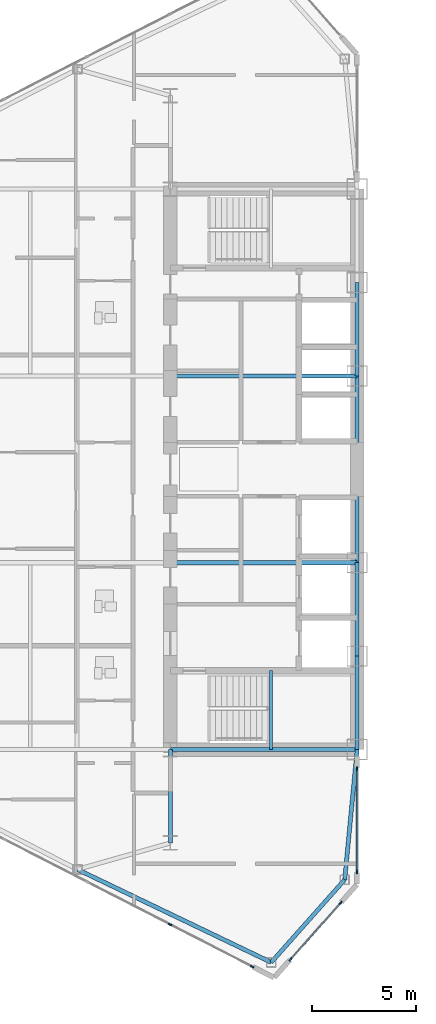
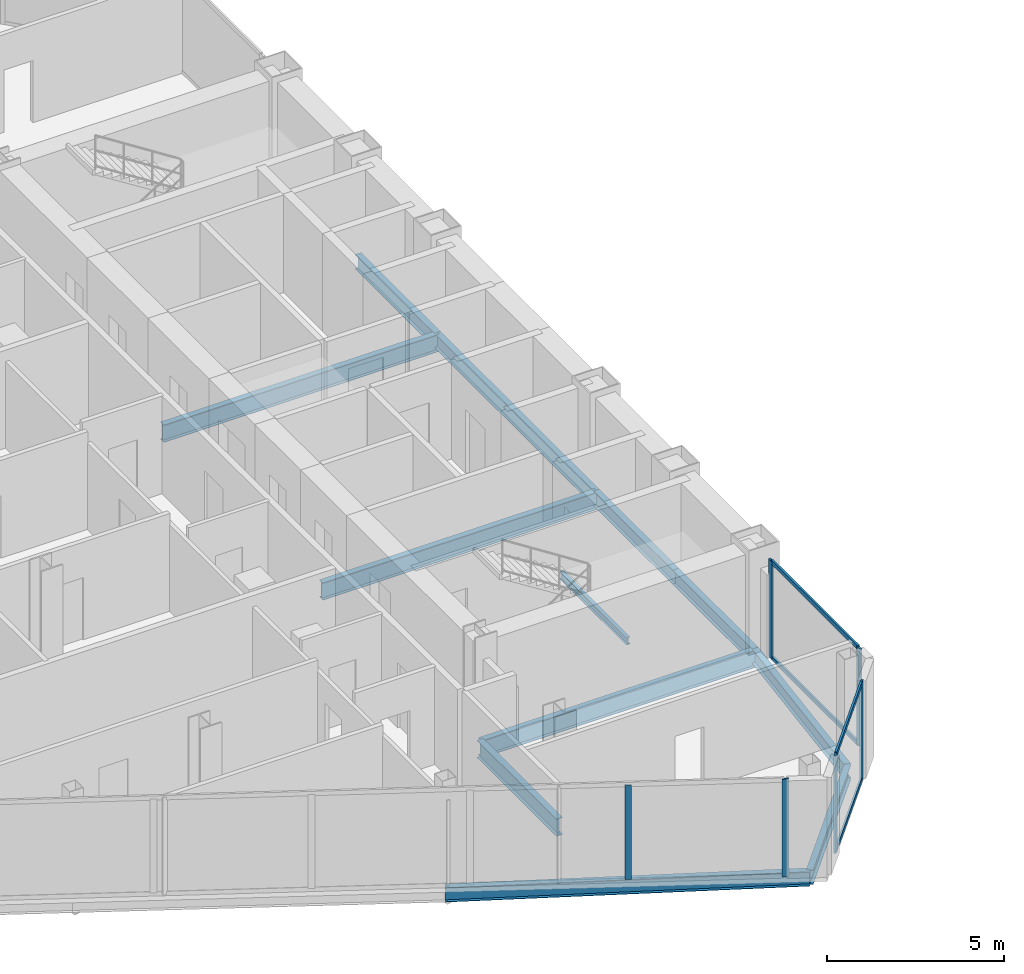
# One storey, part 5 of 24: 12 beams, 10 members, 3 elements without a shape of their own.
"""IFC4 building model written with IfcOpenShell, lengths in metres."""

from ifc_helpers import new_model, si_unit, direction, frame, origin, origin_2d, place, context, subcontext, project, spatial, rectangle, i_section, extrude, source, transform, mapped, material, layer, layer_set, material_profile, profile_set, type_object, type_shapes, element, aggregate, save


model = new_model("IFC4")

# Units and contexts
model_context = context("Model", 3, precision=1e-05, world=origin(), true_north=direction((0.0, 1.0)))
body_context = subcontext(model_context, "Body", "Model", "MODEL_VIEW")
ifc_project = project(units=[si_unit("LENGTHUNIT", "METRE"), si_unit("AREAUNIT", "SQUARE_METRE"), si_unit("VOLUMEUNIT", "CUBIC_METRE"), si_unit("PLANEANGLEUNIT", "RADIAN"), si_unit("MASSUNIT", "GRAM", prefix="KILO")], contexts=[model_context])

# Site, building, storey
site_placement = place(None, origin())
site = spatial("IfcSite", under=ifc_project, at=site_placement, CompositionType="ELEMENT")
building_placement = place(site_placement, origin())
building = spatial("IfcBuilding", under=site, at=building_placement, Name="Seokmaru Belvedere", CompositionType="ELEMENT")
storey_placement = place(building_placement, frame((0.0, 0.0, 114.0)))
storey = spatial("IfcBuildingStorey", under=building, at=storey_placement, Name="L30", CompositionType="ELEMENT", Elevation=114.0)

# Beams
ifc_material_1 = material(Name="Steel SM355 (355 MPa)", Category="steel")
ifc_material_profile_1 = material_profile(ifc_material_1, i_section(OverallWidth=0.199951171875, OverallDepth=0.5, WebThickness=0.010009765625, FlangeThickness=0.01611328125, at=origin_2d()), Name="H-500x200x10x16")
ifc_profile_set_1 = profile_set([ifc_material_profile_1], Name="Steel SM355 (355 MPa)")
beam_type_1 = type_object("IfcBeamType", Name="Perimeter Spandrel Beam H-500", PredefinedType="SPANDREL", material=ifc_profile_set_1)
shared_shape_1 = source(origin(), body_context, "Body", "SweptSolid", [
    extrude(i_section(OverallWidth=0.199951171875, OverallDepth=0.5, WebThickness=0.010009765625, FlangeThickness=0.01611328125, at=origin_2d()), origin(), (0.0, 0.0, 1.0), 4.5),
])
for number, where, z_axis, x_axis, name in (
    (1, (-27.5, -13.5, -0.469970703125), (0.0, 1.0, 0.0), (-1.0, 0.0, 0.0), "L30 W Portal Spine Spandrel 1"),
    (2, (-27.5, -9.0, -0.469970703125), (0.0, 1.0, 0.0), (-1.0, 0.0, 0.0), "L30 W Portal Spine Spandrel 2"),
    (3, (-27.5, 4.5, -0.469970703125), (0.0, 1.0, 0.0), (-1.0, 0.0, 0.0), "L30 W Portal Spine Spandrel 4"),
):
    element("IfcBeam", number, at=place(storey_placement, frame(where, z_axis=z_axis, x_axis=x_axis)), inside=storey, type_object=beam_type_1, Name=name, PredefinedType="SPANDREL", context=body_context, shape_type="MappedRepresentation", body=[
        mapped(shared_shape_1, transform((0.0, 0.0, 0.0), scale=1.0)),
    ])
shared_shape_2 = source(origin(), body_context, "Body", "SweptSolid", [
    extrude(i_section(OverallWidth=0.199951171875, OverallDepth=0.5, WebThickness=0.010009765625, FlangeThickness=0.01611328125, at=origin_2d()), origin(), (0.0, 0.0, 1.0), 9.0),
])
beam_1_placement = place(storey_placement, frame((-27.5, -4.5, -0.469970703125), z_axis=(0.0, 1.0, 0.0), x_axis=(-1.0, 0.0, 0.0)))
element("IfcBeam", 4, at=beam_1_placement, inside=storey, type_object=beam_type_1, Name="L30 W Portal Spine Spandrel 3", PredefinedType="SPANDREL", context=body_context, shape_type="MappedRepresentation", body=[
    mapped(shared_shape_2, transform((0.0, 0.0, 0.0), scale=1.0)),
])
ifc_material_profile_2 = material_profile(ifc_material_1, i_section(OverallWidth=0.199951171875, OverallDepth=0.60009765625, WebThickness=0.010986328125, FlangeThickness=0.01708984375, at=origin_2d()), Name="H-600x200x11x17")
ifc_profile_set_2 = profile_set([ifc_material_profile_2], Name="Steel SM355 (355 MPa)")
beam_type_2 = type_object("IfcBeamType", Name="Primary Floor Girder H-600", PredefinedType="BEAM", material=ifc_profile_set_2)
shared_shape_3 = source(origin(), body_context, "Body", "SweptSolid", [
    extrude(i_section(OverallWidth=0.199951171875, OverallDepth=0.60009765625, WebThickness=0.010986328125, FlangeThickness=0.01708984375, at=origin_2d()), origin(), (0.0, 0.0, 1.0), 9.0),
])
for number, where, z_axis, x_axis, name in (
    (5, (-36.5, -13.5, -0.52001953125), (1.0, 0.0, 0.0), (0.0, 1.0, 0.0), "L30 W Core Tie Girder 1"),
    (6, (-36.5, -4.5, -0.52001953125), (1.0, 0.0, 0.0), (0.0, 1.0, 0.0), "L30 W Core Tie Girder 2"),
    (7, (-36.5, 4.5, -0.52001953125), (1.0, 0.0, 0.0), (0.0, 1.0, 0.0), "L30 W Core Tie Girder 3"),
):
    element("IfcBeam", number, at=place(storey_placement, frame(where, z_axis=z_axis, x_axis=x_axis)), inside=storey, type_object=beam_type_2, Name=name, PredefinedType="BEAM", context=body_context, shape_type="MappedRepresentation", body=[
        mapped(shared_shape_3, transform((0.0, 0.0, 0.0), scale=1.0)),
    ])
shared_shape_4 = source(origin(), body_context, "Body", "SweptSolid", [
    extrude(i_section(OverallWidth=0.199951171875, OverallDepth=0.60009765625, WebThickness=0.010986328125, FlangeThickness=0.01708984375, at=origin_2d()), origin(), (0.0, 0.0, 1.0), 4.5),
])
type_shapes(beam_type_2, [shared_shape_3, shared_shape_4])
beam_2_placement = place(storey_placement, frame((-36.5, -18.0, -0.52001953125), z_axis=(0.0, 1.0, 0.0), x_axis=(-1.0, 0.0, 0.0)))
element("IfcBeam", 8, at=beam_2_placement, inside=storey, type_object=beam_type_2, Name="L30 W Core Shoulder Girder S", PredefinedType="BEAM", context=body_context, shape_type="MappedRepresentation", body=[
    mapped(shared_shape_4, transform((0.0, 0.0, 0.0), scale=1.0)),
])
shared_shape_5 = source(origin(), body_context, "Body", "SweptSolid", [
    extrude(i_section(OverallWidth=0.199951171875, OverallDepth=0.5, WebThickness=0.010009765625, FlangeThickness=0.01611328125, at=origin_2d()), origin(), (0.0, 0.0, 1.0), 10.353759765625),
])
beam_3_placement = place(storey_placement, frame((-31.6396484375, -23.75390625, -0.469970703125), z_axis=(-0.901713202822, 0.432334708134, 0.0), x_axis=(-0.432334708134, -0.901713202822, 0.0)))
element("IfcBeam", 9, at=beam_3_placement, inside=storey, type_object=beam_type_1, Name="L30 W Faceted Flank Spandrel S-1", PredefinedType="SPANDREL", context=body_context, shape_type="MappedRepresentation", body=[
    mapped(shared_shape_5, transform((0.0, 0.0, 0.0), scale=1.0)),
])
shared_shape_6 = source(origin(), body_context, "Body", "SweptSolid", [
    extrude(i_section(OverallWidth=0.199951171875, OverallDepth=0.5, WebThickness=0.010009765625, FlangeThickness=0.01611328125, at=origin_2d()), origin(), (0.0, 0.0, 1.0), 5.32763671875),
])
beam_4_placement = place(storey_placement, frame((-31.6396484375, -23.75390625, -0.469970703125), z_axis=(0.66436952742, 0.74740426212, 0.0), x_axis=(-0.74740426212, 0.66436952742, 0.0)))
element("IfcBeam", 10, at=beam_4_placement, inside=storey, type_object=beam_type_1, Name="L30 W Shoulder Chamfer Spandrel S", PredefinedType="SPANDREL", context=body_context, shape_type="MappedRepresentation", body=[
    mapped(shared_shape_6, transform((0.0, 0.0, 0.0), scale=1.0)),
])
shared_shape_7 = source(origin(), body_context, "Body", "SweptSolid", [
    extrude(i_section(OverallWidth=0.199951171875, OverallDepth=0.5, WebThickness=0.010009765625, FlangeThickness=0.01611328125, at=origin_2d()), origin(), (0.0, 0.0, 1.0), 6.300537109375),
])
type_shapes(beam_type_1, [shared_shape_1, shared_shape_2, shared_shape_5, shared_shape_6, shared_shape_7])
beam_5_placement = place(storey_placement, frame((-28.10009765625, -19.77197265625, -0.469970703125), z_axis=(0.095244287992, 0.995453929424, 0.0), x_axis=(-0.995453929424, 0.095244287992, 0.0)))
element("IfcBeam", 11, at=beam_5_placement, inside=storey, type_object=beam_type_1, Name="L30 W Shoulder Spine Spandrel S", PredefinedType="SPANDREL", context=body_context, shape_type="MappedRepresentation", body=[
    mapped(shared_shape_7, transform((0.0, 0.0, 0.0), scale=1.0)),
])

# Curtain wall, members
ifc_material_2 = material(Name="Bronze Triple Insulating Glass", Category="glass")
ifc_layer = layer(ifc_material_2, 0.195068359375)
ifc_layer_set = layer_set([ifc_layer], Name="Bronze Triple Insulating Glass")
curtain_wall_type = type_object("IfcCurtainWallType", Name="Sky-Lobby and Mid-Rise Curtain Wall System CW-4", PredefinedType="NOTDEFINED", material=ifc_layer_set)
curtain_wall_1_placement = place(storey_placement, origin())
curtain_wall_1 = element("IfcCurtainWall", 12, at=curtain_wall_1_placement, inside=storey, type_object=curtain_wall_type, Name="L30 Curtain Wall WSP_1", PredefinedType="NOTDEFINED")
ifc_material_3 = material(Name="Anodised Bronze Aluminium", Category="aluminium")
ifc_material_profile_3 = material_profile(ifc_material_3, rectangle(XDim=0.070068359375, YDim=0.195068359375, at=origin_2d()), Name="CW-M-70x195")
ifc_profile_set_3 = profile_set([ifc_material_profile_3], Name="Anodised Bronze Aluminium")
member_type_1 = type_object("IfcMemberType", Name="Bronze Unitised Mullion 70x195", PredefinedType="MULLION", material=ifc_profile_set_3)
shared_shape_8 = source(origin(), body_context, "Body", "SweptSolid", [
    extrude(rectangle(XDim=0.070068359375, YDim=0.195068359375, at=origin_2d()), origin(), (0.0, 0.0, 1.0), 3.3798828125),
])
member_1_placement = place(storey_placement, frame((-27.5, -19.39501953125, 0.0), z_axis=(0.0, 0.0, 1.0), x_axis=(-1.0, 0.0, 0.0)))
member_1 = element("IfcMember", 13, at=member_1_placement, type_object=member_type_1, Name="CW:L30:WSP_1 Mullion 1", PredefinedType="MULLION", context=body_context, shape_type="MappedRepresentation", body=[
    mapped(shared_shape_8, transform((0.0, 0.0, 0.0), scale=1.0)),
])
member_2_placement = place(storey_placement, frame((-27.5, -14.4150390625, 0.0), z_axis=(0.0, 0.0, 1.0), x_axis=(-1.0, 0.0, 0.0)))
member_2 = element("IfcMember", 14, at=member_2_placement, type_object=member_type_1, Name="CW:L30:WSP_1 Mullion 2", PredefinedType="MULLION", context=body_context, shape_type="MappedRepresentation", body=[
    mapped(shared_shape_8, transform((0.0, 0.0, 0.0), scale=1.0)),
])

# Curtain wall, member
curtain_wall_2_placement = place(storey_placement, origin())
curtain_wall_2 = element("IfcCurtainWall", 15, at=curtain_wall_2_placement, inside=storey, type_object=curtain_wall_type, Name="L30 Curtain Wall WF5", PredefinedType="NOTDEFINED")
member_3_placement = place(storey_placement, frame((-32.55419921875, -23.958984375, 0.0), z_axis=(0.0, 0.0, 1.0), x_axis=(0.456554528263, 0.889695432562, 0.0)))
member_3 = element("IfcMember", 16, at=member_3_placement, type_object=member_type_1, Name="CW:L30:WF5 Mullion 10", PredefinedType="MULLION", context=body_context, shape_type="MappedRepresentation", body=[
    mapped(shared_shape_8, transform((0.0, 0.0, 0.0), scale=1.0)),
])

# Curtain wall, members
curtain_wall_3_placement = place(storey_placement, origin())
curtain_wall_3 = element("IfcCurtainWall", 17, at=curtain_wall_3_placement, inside=storey, type_object=curtain_wall_type, Name="L30 Curtain Wall WF6", PredefinedType="NOTDEFINED")
member_4_placement = place(storey_placement, frame((-30.712646484375, -23.6142578125, 0.0), z_axis=(0.0, 0.0, 1.0), x_axis=(-0.747409774804, 0.664363325694, 0.0)))
member_4 = element("IfcMember", 18, at=member_4_placement, type_object=member_type_1, Name="CW:L30:WF6 Mullion 1", PredefinedType="MULLION", context=body_context, shape_type="MappedRepresentation", body=[
    mapped(shared_shape_8, transform((0.0, 0.0, 0.0), scale=1.0)),
])
member_5_placement = place(storey_placement, frame((-28.287353515625, -20.8857421875, 0.0), z_axis=(0.0, 0.0, 1.0), x_axis=(-0.747409774804, 0.664363325694, 0.0)))
member_5 = element("IfcMember", 19, at=member_5_placement, type_object=member_type_1, Name="CW:L30:WF6 Mullion 2", PredefinedType="MULLION", context=body_context, shape_type="MappedRepresentation", body=[
    mapped(shared_shape_8, transform((0.0, 0.0, 0.0), scale=1.0)),
])

# Member
ifc_material_profile_4 = material_profile(ifc_material_3, rectangle(XDim=0.06494140625, YDim=0.14990234375, at=origin_2d()), Name="CW-T-65x150")
ifc_profile_set_4 = profile_set([ifc_material_profile_4], Name="Anodised Bronze Aluminium")
member_type_2 = type_object("IfcMemberType", Name="Bronze Unitised Transom 65x150", PredefinedType="USERDEFINED", material=ifc_profile_set_4)
shared_shape_9 = source(origin(), body_context, "Body", "SweptSolid", [
    extrude(rectangle(XDim=0.06494140625, YDim=0.14990234375, at=origin_2d()), origin(), (0.0, 0.0, 1.0), 4.91015625),
])
member_6_placement = place(storey_placement, frame((-27.5, -19.360107421875, 0.032470703125), z_axis=(0.0, 1.0, 0.0), x_axis=(-1.0, 0.0, 0.0)))
member_6 = element("IfcMember", 20, at=member_6_placement, type_object=member_type_2, Name="CW:L30:WSP_1 Continuous Transom 1", ObjectType="TRANSOM", PredefinedType="USERDEFINED", context=body_context, shape_type="MappedRepresentation", body=[
    mapped(shared_shape_9, transform((0.0, 0.0, 0.0), scale=1.0)),
])

member_7_placement = place(storey_placement, frame((-27.5, -19.360107421875, 3.347412109375), z_axis=(0.0, 1.0, 0.0), x_axis=(-1.0, 0.0, 0.0)))
member_7 = element("IfcMember", 21, at=member_7_placement, type_object=member_type_2, Name="CW:L30:WSP_1 Continuous Transom 2", ObjectType="TRANSOM", PredefinedType="USERDEFINED", context=body_context, shape_type="MappedRepresentation", body=[
    mapped(shared_shape_9, transform((0.0, 0.0, 0.0), scale=1.0)),
])

aggregate(curtain_wall_1, [member_1, member_2, member_6, member_7])

shared_shape_10 = source(origin(), body_context, "Body", "SweptSolid", [
    extrude(rectangle(XDim=0.06494140625, YDim=0.14990234375, at=origin_2d()), origin(), (0.0, 0.0, 1.0), 3.580810546875),
])
type_shapes(member_type_2, [shared_shape_9, shared_shape_10])
member_8_placement = place(storey_placement, frame((-30.689453125, -23.588134765625, 0.032470703125), z_axis=(0.66436383883, 0.747409318684, 0.0), x_axis=(-0.747409318684, 0.66436383883, 0.0)))
member_8 = element("IfcMember", 22, at=member_8_placement, type_object=member_type_2, Name="CW:L30:WF6 Continuous Transom 1", ObjectType="TRANSOM", PredefinedType="USERDEFINED", context=body_context, shape_type="MappedRepresentation", body=[
    mapped(shared_shape_10, transform((0.0, 0.0, 0.0), scale=1.0)),
])

member_9_placement = place(storey_placement, frame((-30.689453125, -23.588134765625, 3.347412109375), z_axis=(0.66436383883, 0.747409318684, 0.0), x_axis=(-0.747409318684, 0.66436383883, 0.0)))
member_9 = element("IfcMember", 23, at=member_9_placement, type_object=member_type_2, Name="CW:L30:WF6 Continuous Transom 2", ObjectType="TRANSOM", PredefinedType="USERDEFINED", context=body_context, shape_type="MappedRepresentation", body=[
    mapped(shared_shape_10, transform((0.0, 0.0, 0.0), scale=1.0)),
])

aggregate(curtain_wall_3, [member_4, member_5, member_8, member_9])

shared_shape_11 = source(origin(), body_context, "Body", "SweptSolid", [
    extrude(rectangle(XDim=0.070068359375, YDim=0.195068359375, at=origin_2d()), origin(), (0.0, 0.0, 1.0), 3.25),
])
type_shapes(member_type_1, [shared_shape_8, shared_shape_11])
member_10_placement = place(storey_placement, frame((-36.51806640625, -21.925048828125, 0.06494140625), z_axis=(0.0, 0.0, 1.0), x_axis=(0.456554528263, 0.889695432562, 0.0)))
member_10 = element("IfcMember", 24, at=member_10_placement, type_object=member_type_1, Name="CW:L30:WF5 Mullion 9", PredefinedType="MULLION", context=body_context, shape_type="MappedRepresentation", body=[
    mapped(shared_shape_11, transform((0.0, 0.0, 0.0), scale=1.0)),
])

aggregate(curtain_wall_2, [member_10, member_3])

# Beam
ifc_material_profile_5 = material_profile(ifc_material_1, i_section(OverallWidth=0.125, OverallDepth=0.25, WebThickness=0.006103515625, FlangeThickness=0.009033203125, at=origin_2d()), Name="H-250x125x6x9")
ifc_profile_set_5 = profile_set([ifc_material_profile_5], Name="Steel SM355 (355 MPa)")
beam_type_3 = type_object("IfcBeamType", Name="Stair Mid-Landing Support Beam H-250", PredefinedType="JOIST", material=ifc_profile_set_5)
shared_shape_12 = source(origin(), body_context, "Body", "SweptSolid", [
    extrude(i_section(OverallWidth=0.125, OverallDepth=0.25, WebThickness=0.006103515625, FlangeThickness=0.009033203125, at=origin_2d()), origin(), (0.0, 0.0, 1.0), 3.800048828125),
])
type_shapes(beam_type_3, [shared_shape_12])
beam_6_placement = place(storey_placement, frame((-31.64990234375, -13.5, 1.47509765625), z_axis=(0.0, 1.0, 0.0), x_axis=(-1.0, 0.0, 0.0)))
element("IfcBeam", 25, at=beam_6_placement, inside=storey, type_object=beam_type_3, Name="L30 Stair ST-W1 Mid-Landing Support Beam 1", PredefinedType="JOIST", context=body_context, shape_type="MappedRepresentation", body=[
    mapped(shared_shape_12, transform((0.0, 0.0, 0.0), scale=1.0)),
])

save(model, "model.ifc")
